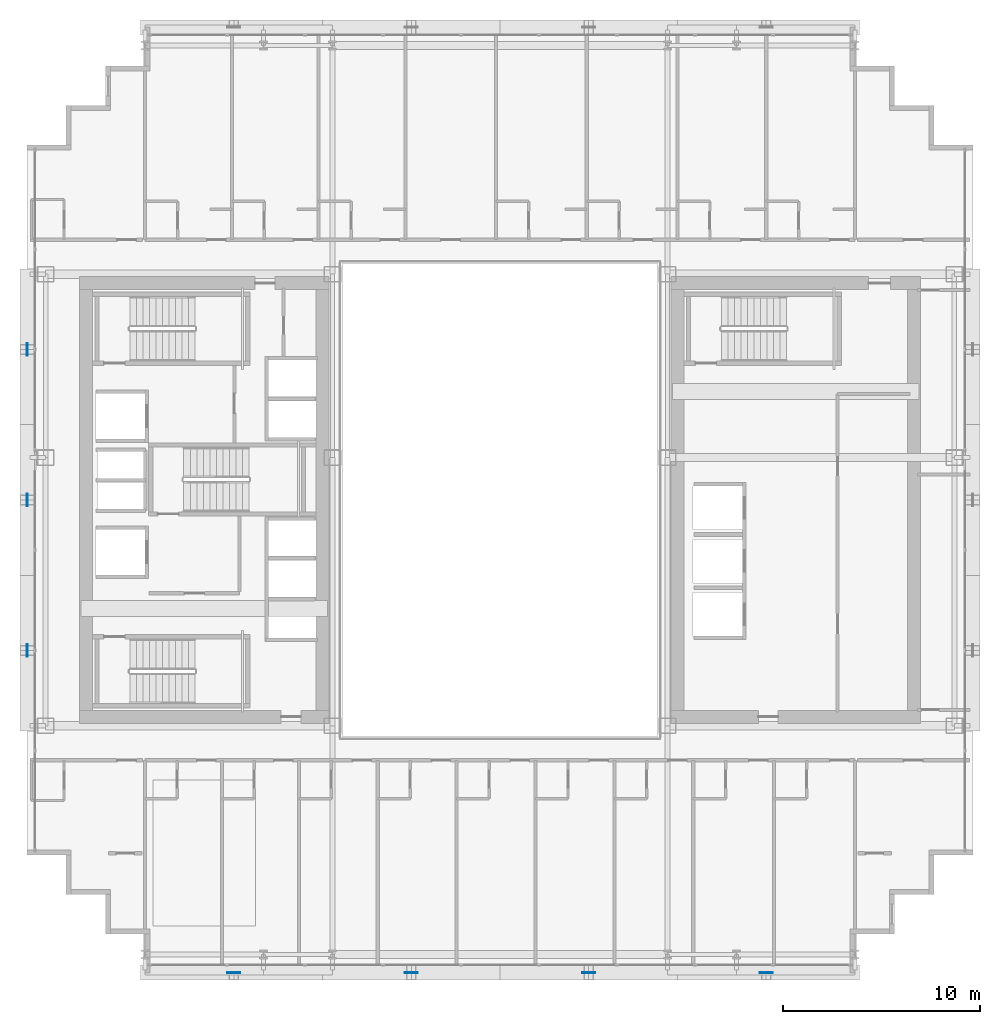
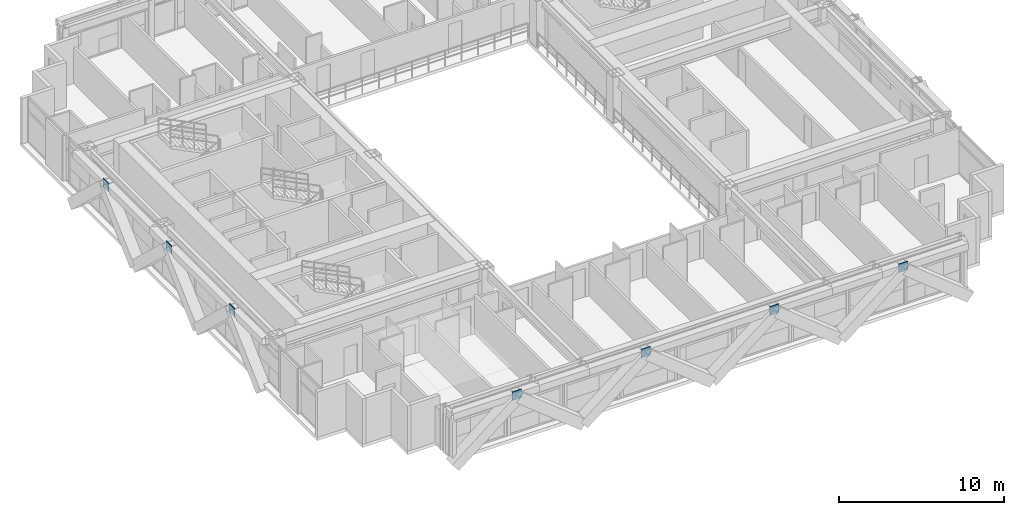
# One storey, part 25 of 36: 7 plates.
"""IFC4 building model written with IfcOpenShell, lengths in metres."""

from ifc_helpers import new_model, si_unit, direction, frame, origin, origin_2d, place, context, subcontext, project, spatial, rectangle, extrude, source, transform, mapped, material, layer, layer_set, type_object, element, save


model = new_model("IFC4")

# Units and contexts
model_context = context("Model", 3, precision=1e-05, world=origin(), true_north=direction((0.0, 1.0)))
body_context = subcontext(model_context, "Body", "Model", "MODEL_VIEW")
ifc_project = project(units=[si_unit("LENGTHUNIT", "METRE"), si_unit("AREAUNIT", "SQUARE_METRE"), si_unit("VOLUMEUNIT", "CUBIC_METRE"), si_unit("PLANEANGLEUNIT", "RADIAN"), si_unit("MASSUNIT", "GRAM", prefix="KILO")], contexts=[model_context])

# Site, building, storey
site_placement = place(None, origin())
site = spatial("IfcSite", under=ifc_project, at=site_placement, CompositionType="ELEMENT")
building_placement = place(site_placement, origin())
building = spatial("IfcBuilding", under=site, at=building_placement, Name="Ocotamira Hotel", CompositionType="ELEMENT")
storey_placement = place(building_placement, frame((0.0, 0.0, 133.199951171875)))
storey = spatial("IfcBuildingStorey", under=building, at=storey_placement, Name="L33", CompositionType="ELEMENT", Elevation=133.199951171875)

# Plates
ifc_material = material(Name="Pale-metal coated steel ASTM A572 Grade 50", Category="steel")
ifc_layer = layer(ifc_material, 0.0400390625)
ifc_layer_set = layer_set([ifc_layer], Name="Pale-metal coated steel ASTM A572 Grade 50")
plate_type = type_object("IfcPlateType", Name="PLT-GUSSET-40", PredefinedType="SHEET", material=ifc_layer_set)
shared_shape_1 = source(origin(), body_context, "Body", "SweptSolid", [
    extrude(rectangle(XDim=0.64990234375, YDim=0.0400390625, at=origin_2d()), origin(), (0.0, 0.0, 1.0), 0.64990234375),
])
for number, where, z_axis, x_axis, name in (
    (1, (18.5, 2.030029296875, 2.78515625), (0.0, 0.0, 1.0), (1.0, 0.0, 0.0), "L33 Exoskeleton Diagrid S0.1 End Gusset B"),
    (2, (27.5, 2.030029296875, 2.78515625), (0.0, 0.0, 1.0), (1.0, 0.0, 0.0), "L33 Exoskeleton Diagrid S1.1 End Gusset B"),
    (3, (36.5, 2.030029296875, 2.78515625), (0.0, 0.0, 1.0), (1.0, 0.0, 0.0), "L33 Exoskeleton Diagrid S2.1 End Gusset B"),
    (4, (45.5, 2.030029296875, 2.78515625), (0.0, 0.0, 1.0), (1.0, 0.0, 0.0), "L33 Exoskeleton Diagrid S3.1 End Gusset B"),
):
    element("IfcPlate", number, at=place(storey_placement, frame(where, z_axis=z_axis, x_axis=x_axis)), inside=storey, type_object=plate_type, Name=name, PredefinedType="SHEET", context=body_context, shape_type="MappedRepresentation", body=[
        mapped(shared_shape_1, transform((0.0, 0.0, 0.0), scale=1.0)),
    ])
shared_shape_2 = source(origin(), body_context, "Body", "SweptSolid", [
    extrude(rectangle(XDim=0.0400390625, YDim=0.64990234375, at=origin_2d()), origin(), (0.0, 0.0, 1.0), 0.64990234375),
])
for number, where, z_axis, x_axis, name in (
    (5, (8.030029296875, 18.36669921875, 2.78515625), (0.0, 0.0, 1.0), (1.0, 0.0, 0.0), "L33 Exoskeleton Diagrid W0.1 End Gusset B"),
    (6, (8.030029296875, 26.0, 2.78515625), (0.0, 0.0, 1.0), (1.0, 0.0, 0.0), "L33 Exoskeleton Diagrid W1.1 End Gusset B"),
    (7, (8.030029296875, 33.63330078125, 2.78515625), (0.0, 0.0, 1.0), (1.0, 0.0, 0.0), "L33 Exoskeleton Diagrid W2.1 End Gusset B"),
):
    element("IfcPlate", number, at=place(storey_placement, frame(where, z_axis=z_axis, x_axis=x_axis)), inside=storey, type_object=plate_type, Name=name, PredefinedType="SHEET", context=body_context, shape_type="MappedRepresentation", body=[
        mapped(shared_shape_2, transform((0.0, 0.0, 0.0), scale=1.0)),
    ])

save(model, "model.ifc")
